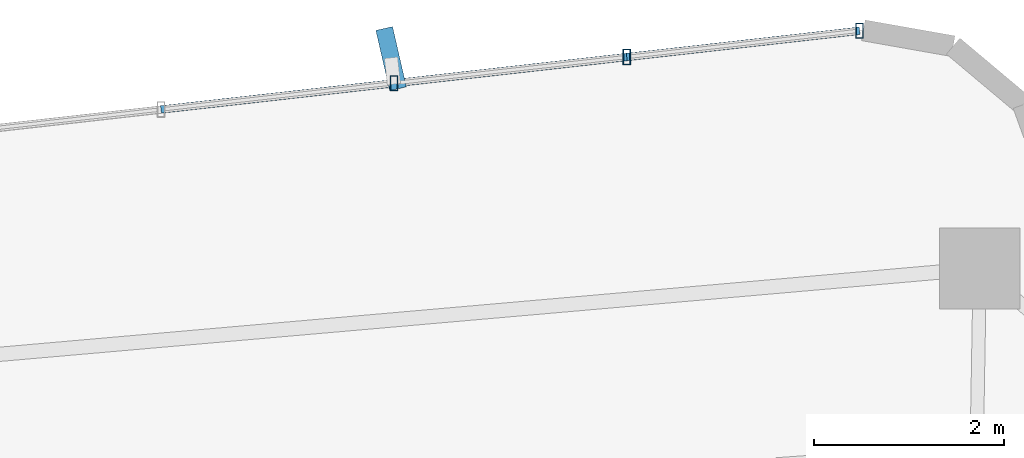
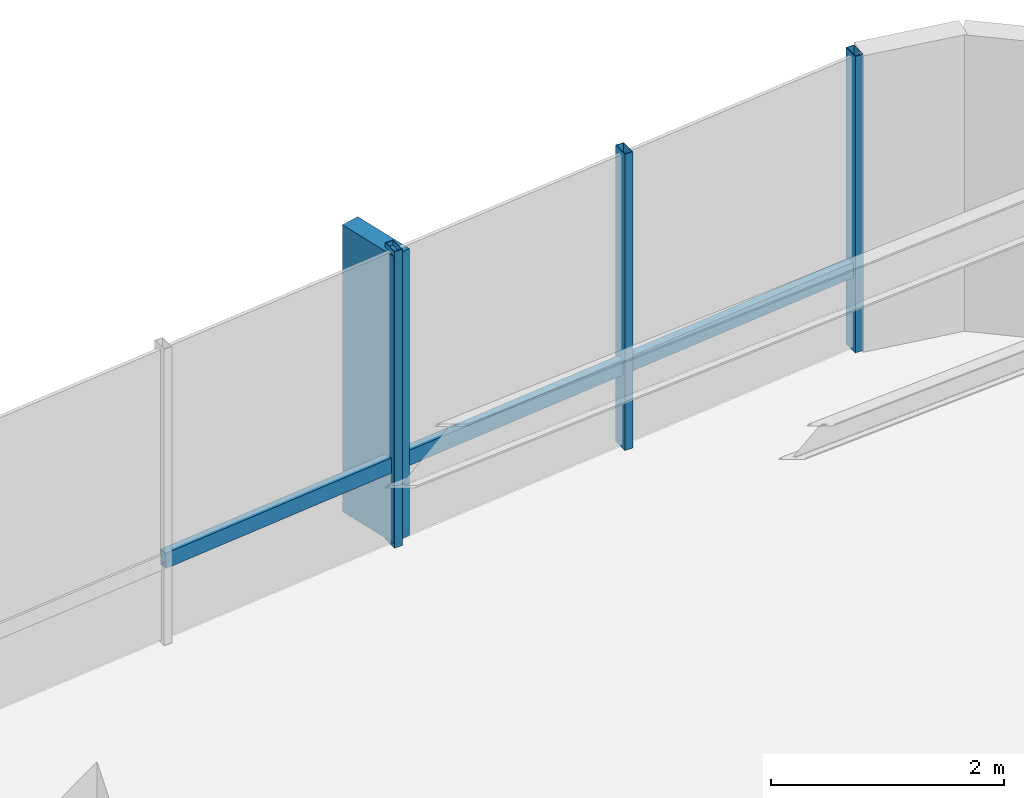
# One storey, part 18 of 24: 7 members, 1 element without a shape of its own.
"""IFC4 building model written with IfcOpenShell, lengths in metres."""

from ifc_helpers import new_model, si_unit, direction, frame, origin, origin_2d, place, context, subcontext, project, spatial, rectangle, hollow_rectangle, extrude, source, transform, mapped, material, material_profile, profile_set, type_object, element, aggregate, save


model = new_model("IFC4")

# Units and contexts
model_context = context("Model", 3, precision=1e-05, world=origin(), true_north=direction((0.0, 1.0)))
body_context = subcontext(model_context, "Body", "Model", "MODEL_VIEW")
ifc_project = project(units=[si_unit("LENGTHUNIT", "METRE"), si_unit("AREAUNIT", "SQUARE_METRE"), si_unit("VOLUMEUNIT", "CUBIC_METRE"), si_unit("PLANEANGLEUNIT", "RADIAN"), si_unit("MASSUNIT", "GRAM", prefix="KILO")], contexts=[model_context])

# Site, building, storey
site_placement = place(None, origin())
site = spatial("IfcSite", under=ifc_project, at=site_placement, CompositionType="ELEMENT")
building_placement = place(site_placement, origin())
building = spatial("IfcBuilding", under=site, at=building_placement, Name="Sahyath Konkavel Grand Hotel", CompositionType="ELEMENT")
storey_placement = place(building_placement, frame((0.0, 0.0, 195.300048828125)))
storey = spatial("IfcBuildingStorey", under=building, at=storey_placement, Name="L54", CompositionType="ELEMENT", Elevation=195.300048828125)

# Curtain wall, members
ifc_material_1 = material(Name="Anodised Bronze Aluminium & Low-E Glazing", Category="aluminium")
curtain_wall_type = type_object("IfcCurtainWallType", Name="CW-ZONE3", PredefinedType="NOTDEFINED", material=ifc_material_1)
curtain_wall_placement = place(storey_placement, origin())
curtain_wall = element("IfcCurtainWall", 1, at=curtain_wall_placement, inside=storey, type_object=curtain_wall_type, Name="L54 Unitised Curtain Wall F12", PredefinedType="NOTDEFINED")
ifc_material_2 = material(Name="Anodised Bronze Aluminium", Category="aluminium")
ifc_material_profile_1 = material_profile(ifc_material_2, hollow_rectangle(XDim=0.080078125, YDim=0.159912109375, WallThickness=0.006103515625, at=origin_2d()), Name="RHS 160x80x6")
ifc_profile_set_1 = profile_set([ifc_material_profile_1], Name="Anodised Bronze Aluminium")
member_type_1 = type_object("IfcMemberType", Name="CW-MUL-160", PredefinedType="MULLION", material=ifc_profile_set_1)
shared_shape_1 = source(origin(), body_context, "Body", "SweptSolid", [
    extrude(hollow_rectangle(XDim=0.080078125, YDim=0.159912109375, WallThickness=0.006103515625, at=origin_2d()), origin(), (0.0, 0.0, 1.0), 3.10986328125),
])
member_1_placement = place(storey_placement, frame((2.673828125, 20.610595703125, 0.0), z_axis=(0.0, 0.0, 1.0), x_axis=(1.0, 0.0, 0.0)))
member_1 = element("IfcMember", 2, at=member_1_placement, type_object=member_type_1, Name="L54 Curtain Wall Mullion F12-0", PredefinedType="MULLION", context=body_context, shape_type="MappedRepresentation", body=[
    mapped(shared_shape_1, transform((0.0, 0.0, 0.0), scale=1.0)),
])
member_2_placement = place(storey_placement, frame((0.227294921875, 20.334716796875, 0.0), z_axis=(0.0, 0.0, 1.0), x_axis=(1.0, 0.0, 0.0)))
member_2 = element("IfcMember", 3, at=member_2_placement, type_object=member_type_1, Name="L54 Curtain Wall Mullion F12-1", PredefinedType="MULLION", context=body_context, shape_type="MappedRepresentation", body=[
    mapped(shared_shape_1, transform((0.0, 0.0, 0.0), scale=1.0)),
])
member_3_placement = place(storey_placement, frame((-2.21923828125, 20.05908203125, 0.0), z_axis=(0.0, 0.0, 1.0), x_axis=(1.0, 0.0, 0.0)))
member_3 = element("IfcMember", 4, at=member_3_placement, type_object=member_type_1, Name="L54 Curtain Wall Mullion F12-2", PredefinedType="MULLION", context=body_context, shape_type="MappedRepresentation", body=[
    mapped(shared_shape_1, transform((0.0, 0.0, 0.0), scale=1.0)),
])
ifc_material_3 = material(Name="Warm Buff Sandstone Cladding on Concrete C50/60", Category="masonry")
ifc_material_profile_2 = material_profile(ifc_material_3, rectangle(XDim=0.179931640625, YDim=0.64990234375, at=origin_2d()), Name="FIN 180x650")
ifc_profile_set_2 = profile_set([ifc_material_profile_2], Name="Warm Buff Sandstone Cladding on Concrete C50/60")
member_type_2 = type_object("IfcMemberType", Name="FIN-SANDSTONE-650", PredefinedType="MULLION", material=ifc_profile_set_2)
shared_shape_2 = source(origin(), body_context, "Body", "SweptSolid", [
    extrude(rectangle(XDim=0.179931640625, YDim=0.64990234375, at=origin_2d()), origin(), (0.0, 0.0, 1.0), 3.010009765625),
])
member_4_placement = place(storey_placement, frame((-2.248291015625, 20.3173828125, 0.050048828125), z_axis=(0.0, 0.0, 1.0), x_axis=(0.974644167091, 0.223760469153, 0.0)))
member_4 = element("IfcMember", 5, at=member_4_placement, type_object=member_type_2, Name="L54 Sandstone Vertical Solar Fin FIN F12-2", PredefinedType="MULLION", context=body_context, shape_type="MappedRepresentation", body=[
    mapped(shared_shape_2, transform((0.0, 0.0, 0.0), scale=1.0)),
])
ifc_material_profile_3 = material_profile(ifc_material_2, hollow_rectangle(XDim=0.080078125, YDim=0.159912109375, WallThickness=0.006103515625, at=origin_2d()), Name="RHS 160x80x6")
ifc_profile_set_3 = profile_set([ifc_material_profile_3], Name="Anodised Bronze Aluminium")
member_type_3 = type_object("IfcMemberType", Name="CW-TRN-160", PredefinedType="USERDEFINED", material=ifc_profile_set_3)
shared_shape_3 = source(origin(), body_context, "Body", "SweptSolid", [
    extrude(hollow_rectangle(XDim=0.080078125, YDim=0.159912109375, WallThickness=0.006103515625, at=origin_2d()), origin(), (0.0, 0.0, 1.0), 2.462158203125),
])
member_5_placement = place(storey_placement, frame((2.673828125, 20.610595703125, 0.849853515625), z_axis=(-0.99370222711, -0.112053040279, 0.0), x_axis=(0.112053040279, -0.99370222711, 0.0)))
member_5 = element("IfcMember", 6, at=member_5_placement, type_object=member_type_3, Name="L54 Curtain Wall Transom F12-0-spandrel", ObjectType="TRANSOM", PredefinedType="USERDEFINED", context=body_context, shape_type="MappedRepresentation", body=[
    mapped(shared_shape_3, transform((0.0, 0.0, 0.0), scale=1.0)),
])
member_6_placement = place(storey_placement, frame((-2.21923828125, 20.05908203125, 0.849853515625), z_axis=(-0.99370222711, -0.112053040279, 0.0), x_axis=(0.112053040279, -0.99370222711, 0.0)))
member_6 = element("IfcMember", 7, at=member_6_placement, type_object=member_type_3, Name="L54 Curtain Wall Transom F12-2-spandrel", ObjectType="TRANSOM", PredefinedType="USERDEFINED", context=body_context, shape_type="MappedRepresentation", body=[
    mapped(shared_shape_3, transform((0.0, 0.0, 0.0), scale=1.0)),
])
shared_shape_4 = source(origin(), body_context, "Body", "SweptSolid", [
    extrude(hollow_rectangle(XDim=0.080078125, YDim=0.159912109375, WallThickness=0.006103515625, at=origin_2d()), origin(), (0.0, 0.0, 1.0), 2.4619140625),
])
member_7_placement = place(storey_placement, frame((0.227294921875, 20.334716796875, 0.849853515625), z_axis=(-0.993713263833, -0.111955121731, 0.0), x_axis=(0.111955121731, -0.993713263833, 0.0)))
member_7 = element("IfcMember", 8, at=member_7_placement, type_object=member_type_3, Name="L54 Curtain Wall Transom F12-1-spandrel", ObjectType="TRANSOM", PredefinedType="USERDEFINED", context=body_context, shape_type="MappedRepresentation", body=[
    mapped(shared_shape_4, transform((0.0, 0.0, 0.0), scale=1.0)),
])
aggregate(curtain_wall, [member_1, member_2, member_3, member_4, member_5, member_7, member_6])

save(model, "model.ifc")
